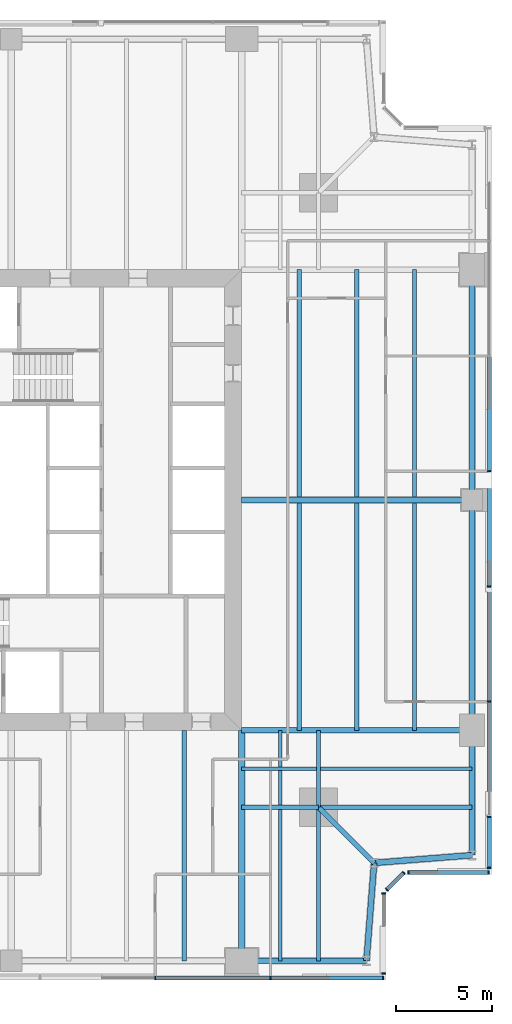
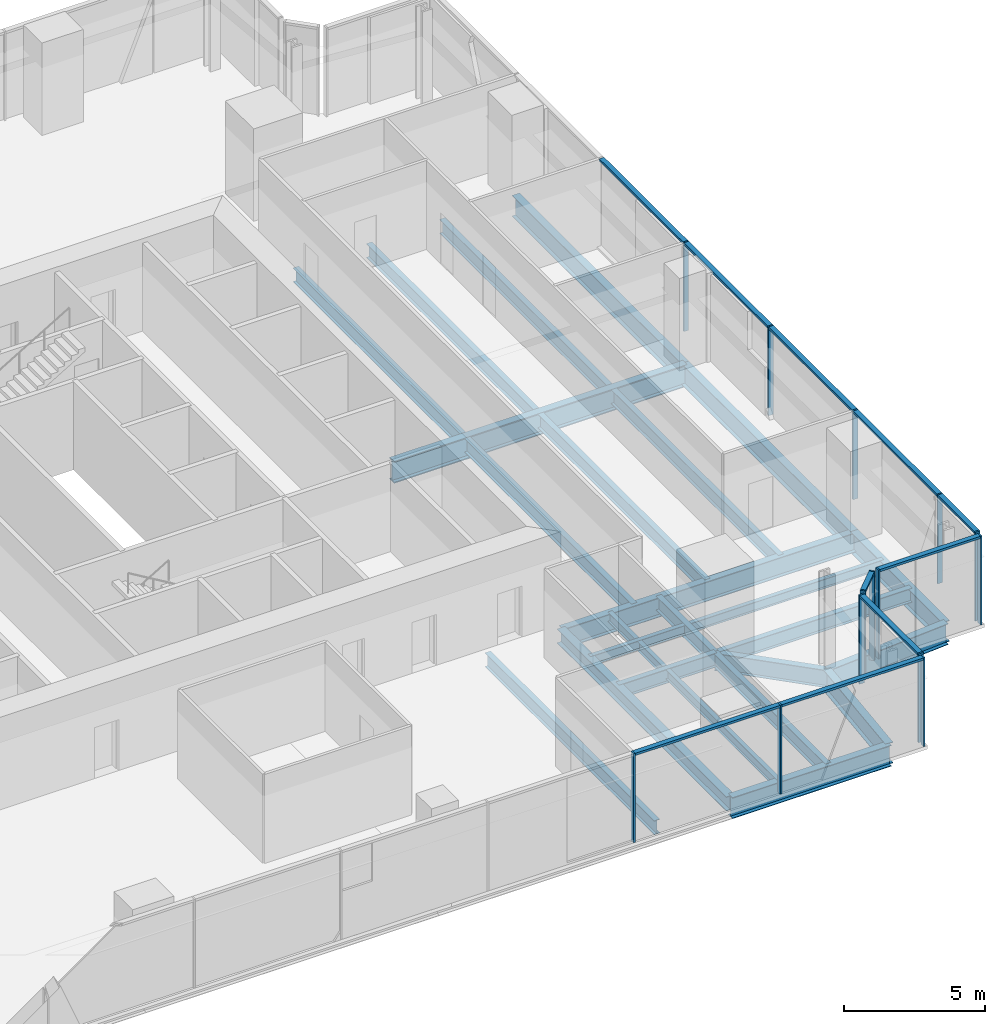
# One storey, part 5 of 16: 26 beams, 24 members, 5 elements without a shape of their own.
"""IFC4 building model written with IfcOpenShell, lengths in metres."""

from ifc_helpers import new_model, si_unit, direction, frame, origin, origin_2d, place, context, subcontext, project, spatial, rectangle, i_section, extrude, material, material_profile, profile_set, type_object, element, aggregate, save


model = new_model("IFC4")

# Units and contexts
model_context = context("Model", 3, precision=1e-05, world=origin(), true_north=direction((0.0, 1.0)))
body_context = subcontext(model_context, "Body", "Model", "MODEL_VIEW")
ifc_project = project(units=[si_unit("LENGTHUNIT", "METRE"), si_unit("AREAUNIT", "SQUARE_METRE"), si_unit("VOLUMEUNIT", "CUBIC_METRE"), si_unit("PLANEANGLEUNIT", "RADIAN"), si_unit("MASSUNIT", "GRAM", prefix="KILO")], contexts=[model_context])

# Site, building, storey
site_placement = place(None, origin())
site = spatial("IfcSite", under=ifc_project, at=site_placement, CompositionType="ELEMENT")
building_placement = place(site_placement, origin())
building = spatial("IfcBuilding", under=site, at=building_placement, Name="Fenwick Lantern Interchange", CompositionType="ELEMENT")
storey_placement = place(building_placement, frame((0.0, 0.0, 213.800048828125)))
storey = spatial("IfcBuildingStorey", under=building, at=storey_placement, Name="L50", CompositionType="ELEMENT", Elevation=213.800048828125)

# Beams
ifc_material_1 = material(Name="Steel ASTM A992 Grade 50", Category="steel")
ifc_material_profile_1 = material_profile(ifc_material_1, i_section(OverallWidth=0.3046875, OverallDepth=0.911865234375, WebThickness=0.015869140625, FlangeThickness=0.02392578125, at=origin_2d()), Name="W36X150")
ifc_profile_set_1 = profile_set([ifc_material_profile_1], Name="Steel ASTM A992 Grade 50")
beam_type_1 = type_object("IfcBeamType", Name="EDGE BEAM W36X150", PredefinedType="SPANDREL", material=ifc_profile_set_1)
beam_1_placement = place(storey_placement, frame((37.0, 1.0, -0.60595703125), z_axis=(1.0, 0.0, 0.0), x_axis=(0.0, 1.0, 0.0)))
element("IfcBeam", 1, at=beam_1_placement, inside=storey, type_object=beam_type_1, Name="L50/FR/S/EB4", PredefinedType="SPANDREL", context=body_context, shape_type="SweptSolid", body=[
    extrude(i_section(OverallWidth=0.3046875, OverallDepth=0.911865234375, WebThickness=0.015869140625, FlangeThickness=0.02392578125, at=origin_2d()), origin(), (0.0, 0.0, 1.0), 6.5),
])
for number, where, z_axis, x_axis, name in (
    (2, (43.5, 1.0, -0.60595703125), (0.078170784639, 0.99693998236, 0.0), (-0.99693998236, 0.078170784639, 0.0), "L50/FR/S/EBR1"),
    (3, (43.89990234375, 6.10009765625, -0.60595703125), (0.99693998236, 0.078170784639, 0.0), (-0.078170784639, 0.99693998236, 0.0), "L50/FR/S/EBR2"),
):
    element("IfcBeam", number, at=place(storey_placement, frame(where, z_axis=z_axis, x_axis=x_axis)), inside=storey, type_object=beam_type_1, Name=name, PredefinedType="SPANDREL", context=body_context, shape_type="SweptSolid", body=[
        extrude(i_section(OverallWidth=0.3046875, OverallDepth=0.911865234375, WebThickness=0.015869140625, FlangeThickness=0.02392578125, at=origin_2d()), origin(), (0.0, 0.0, 1.0), 5.11572265625),
    ])
beam_2_placement = place(storey_placement, frame((49.0, 6.5, -0.60595703125), z_axis=(0.0, 1.0, 0.0), x_axis=(-1.0, 0.0, 0.0)))
element("IfcBeam", 4, at=beam_2_placement, inside=storey, type_object=beam_type_1, Name="L50/FR/E/EB1", PredefinedType="SPANDREL", context=body_context, shape_type="SweptSolid", body=[
    extrude(i_section(OverallWidth=0.3046875, OverallDepth=0.911865234375, WebThickness=0.015869140625, FlangeThickness=0.02392578125, at=origin_2d()), origin(), (0.0, 0.0, 1.0), 6.5),
])
for number, where, z_axis, x_axis, name in (
    (5, (49.0, 13.0, -0.60595703125), (0.0, 1.0, 0.0), (-1.0, 0.0, 0.0), "L50/FR/E/EB2"),
    (6, (49.0, 25.0, -0.60595703125), (0.0, 1.0, 0.0), (-1.0, 0.0, 0.0), "L50/FR/E/EB3"),
):
    element("IfcBeam", number, at=place(storey_placement, frame(where, z_axis=z_axis, x_axis=x_axis)), inside=storey, type_object=beam_type_1, Name=name, PredefinedType="SPANDREL", context=body_context, shape_type="SweptSolid", body=[
        extrude(i_section(OverallWidth=0.3046875, OverallDepth=0.911865234375, WebThickness=0.015869140625, FlangeThickness=0.02392578125, at=origin_2d()), origin(), (0.0, 0.0, 1.0), 12.0),
    ])
ifc_material_profile_2 = material_profile(ifc_material_1, i_section(OverallWidth=0.22900390625, OverallDepth=0.612060546875, WebThickness=0.011962890625, FlangeThickness=0.01953125, at=origin_2d()), Name="W24X84")
ifc_profile_set_2 = profile_set([ifc_material_profile_2], Name="Steel ASTM A992 Grade 50")
beam_type_2 = type_object("IfcBeamType", Name="FLOOR BEAM W24X84", PredefinedType="BEAM", material=ifc_profile_set_2)
beam_3_placement = place(storey_placement, frame((34.0, 1.0, -0.4560546875), z_axis=(0.0, 1.0, 0.0), x_axis=(-1.0, 0.0, 0.0)))
element("IfcBeam", 7, at=beam_3_placement, inside=storey, type_object=beam_type_2, Name="L50/FR/S/R08", PredefinedType="BEAM", context=body_context, shape_type="SweptSolid", body=[
    extrude(i_section(OverallWidth=0.22900390625, OverallDepth=0.612060546875, WebThickness=0.011962890625, FlangeThickness=0.01953125, at=origin_2d()), origin(), (0.0, 0.0, 1.0), 12.0),
])
for number, where, z_axis, x_axis, name in (
    (8, (46.0, 13.0, -0.4560546875), (0.0, 1.0, 0.0), (-1.0, 0.0, 0.0), "L50/FR/E/B01"),
    (9, (43.0, 13.0, -0.4560546875), (0.0, 1.0, 0.0), (-1.0, 0.0, 0.0), "L50/FR/E/B02"),
    (10, (40.0, 13.0, -0.4560546875), (0.0, 1.0, 0.0), (-1.0, 0.0, 0.0), "L50/FR/E/B03"),
    (11, (46.0, 25.155029296875, -0.4560546875), (0.0, 1.0, 0.0), (-1.0, 0.0, 0.0), "L50/FR/E/B04"),
    (12, (43.0, 25.155029296875, -0.4560546875), (0.0, 1.0, 0.0), (-1.0, 0.0, 0.0), "L50/FR/E/B05"),
    (13, (40.0, 25.155029296875, -0.4560546875), (0.0, 1.0, 0.0), (-1.0, 0.0, 0.0), "L50/FR/E/B06"),
):
    element("IfcBeam", number, at=place(storey_placement, frame(where, z_axis=z_axis, x_axis=x_axis)), inside=storey, type_object=beam_type_2, Name=name, PredefinedType="BEAM", context=body_context, shape_type="SweptSolid", body=[
        extrude(i_section(OverallWidth=0.22900390625, OverallDepth=0.612060546875, WebThickness=0.011962890625, FlangeThickness=0.01953125, at=origin_2d()), origin(), (0.0, 0.0, 1.0), 11.844970703125),
    ])
ifc_material_profile_3 = material_profile(ifc_material_1, i_section(OverallWidth=0.177734375, OverallDepth=0.406494140625, WebThickness=0.0078125, FlangeThickness=0.012939453125, at=origin_2d()), Name="W16X40")
ifc_profile_set_3 = profile_set([ifc_material_profile_3], Name="Steel ASTM A992 Grade 50")
beam_type_3 = type_object("IfcBeamType", Name="INFILL BEAM W16X40", PredefinedType="JOIST", material=ifc_profile_set_3)
beam_4_placement = place(storey_placement, frame((49.0, 11.0, -0.353271484375), z_axis=(-1.0, 0.0, 0.0), x_axis=(0.0, -1.0, 0.0)))
element("IfcBeam", 14, at=beam_4_placement, inside=storey, type_object=beam_type_3, Name="L50/FR/E/J1", PredefinedType="JOIST", context=body_context, shape_type="SweptSolid", body=[
    extrude(i_section(OverallWidth=0.177734375, OverallDepth=0.406494140625, WebThickness=0.0078125, FlangeThickness=0.012939453125, at=origin_2d()), origin(), (0.0, 0.0, 1.0), 7.885498046875),
])
beam_5_placement = place(storey_placement, frame((40.885498046875, 11.0, -0.353271484375), z_axis=(-1.0, 0.0, 0.0), x_axis=(0.0, -1.0, 0.0)))
element("IfcBeam", 15, at=beam_5_placement, inside=storey, type_object=beam_type_3, Name="L50/FR/E/J2", PredefinedType="JOIST", context=body_context, shape_type="SweptSolid", body=[
    extrude(i_section(OverallWidth=0.177734375, OverallDepth=0.406494140625, WebThickness=0.0078125, FlangeThickness=0.012939453125, at=origin_2d()), origin(), (0.0, 0.0, 1.0), 3.885498046875),
])
beam_6_placement = place(storey_placement, frame((39.0, 1.0, -0.353271484375), z_axis=(0.0, 1.0, 0.0), x_axis=(-1.0, 0.0, 0.0)))
element("IfcBeam", 16, at=beam_6_placement, inside=storey, type_object=beam_type_3, Name="L50/FR/E/J3", PredefinedType="JOIST", context=body_context, shape_type="SweptSolid", body=[
    extrude(i_section(OverallWidth=0.177734375, OverallDepth=0.406494140625, WebThickness=0.0078125, FlangeThickness=0.012939453125, at=origin_2d()), origin(), (0.0, 0.0, 1.0), 7.885498046875),
])
beam_7_placement = place(storey_placement, frame((39.0, 9.114501953125, -0.353271484375), z_axis=(0.0, 1.0, 0.0), x_axis=(-1.0, 0.0, 0.0)))
element("IfcBeam", 17, at=beam_7_placement, inside=storey, type_object=beam_type_3, Name="L50/FR/E/J4", PredefinedType="JOIST", context=body_context, shape_type="SweptSolid", body=[
    extrude(i_section(OverallWidth=0.177734375, OverallDepth=0.406494140625, WebThickness=0.0078125, FlangeThickness=0.012939453125, at=origin_2d()), origin(), (0.0, 0.0, 1.0), 1.796630859375),
])
beam_8_placement = place(storey_placement, frame((39.0, 11.0888671875, -0.353271484375), z_axis=(0.0, 1.0, 0.0), x_axis=(-1.0, 0.0, 0.0)))
element("IfcBeam", 18, at=beam_8_placement, inside=storey, type_object=beam_type_3, Name="L50/FR/E/J5", PredefinedType="JOIST", context=body_context, shape_type="SweptSolid", body=[
    extrude(i_section(OverallWidth=0.177734375, OverallDepth=0.406494140625, WebThickness=0.0078125, FlangeThickness=0.012939453125, at=origin_2d()), origin(), (0.0, 0.0, 1.0), 1.9111328125),
])
ifc_material_profile_4 = material_profile(ifc_material_1, i_section(OverallWidth=0.22900390625, OverallDepth=0.612060546875, WebThickness=0.011962890625, FlangeThickness=0.01953125, at=origin_2d()), Name="W24X84")
ifc_profile_set_4 = profile_set([ifc_material_profile_4], Name="Steel ASTM A992 Grade 50")
beam_type_4 = type_object("IfcBeamType", Name="MEGA COLUMN BEAM W24X84", PredefinedType="BEAM", material=ifc_profile_set_4)
for number, where, z_axis, x_axis, name in (
    (19, (41.0, 9.0, -0.4560546875), (1.0, 0.0, 0.0), (0.0, 1.0, 0.0), "L50/FR/E/MB1"),
    (20, (41.0, 9.0, -0.4560546875), (0.0, -1.0, 0.0), (1.0, 0.0, 0.0), "L50/FR/E/MB2"),
):
    element("IfcBeam", number, at=place(storey_placement, frame(where, z_axis=z_axis, x_axis=x_axis)), inside=storey, type_object=beam_type_4, Name=name, PredefinedType="BEAM", context=body_context, shape_type="SweptSolid", body=[
        extrude(i_section(OverallWidth=0.22900390625, OverallDepth=0.612060546875, WebThickness=0.011962890625, FlangeThickness=0.01953125, at=origin_2d()), origin(), (0.0, 0.0, 1.0), 8.0),
    ])
for number, where, z_axis, x_axis, name in (
    (21, (41.0, 9.0, -0.4560546875), (0.0, 1.0, 0.0), (-1.0, 0.0, 0.0), "L50/FR/E/MB3"),
    (22, (41.0, 9.0, -0.4560546875), (-1.0, 0.0, 0.0), (0.0, -1.0, 0.0), "L50/FR/E/MB4"),
):
    element("IfcBeam", number, at=place(storey_placement, frame(where, z_axis=z_axis, x_axis=x_axis)), inside=storey, type_object=beam_type_4, Name=name, PredefinedType="BEAM", context=body_context, shape_type="SweptSolid", body=[
        extrude(i_section(OverallWidth=0.22900390625, OverallDepth=0.612060546875, WebThickness=0.011962890625, FlangeThickness=0.01953125, at=origin_2d()), origin(), (0.0, 0.0, 1.0), 4.0),
    ])
ifc_material_profile_5 = material_profile(ifc_material_1, i_section(OverallWidth=0.32763671875, OverallDepth=0.622314453125, WebThickness=0.015380859375, FlangeThickness=0.0244140625, at=origin_2d()), Name="W24X131")
ifc_profile_set_5 = profile_set([ifc_material_profile_5], Name="Steel ASTM A992 Grade 50")
beam_type_5 = type_object("IfcBeamType", Name="MOMENT-CONNECTED GIRDER W24X131", PredefinedType="BEAM", material=ifc_profile_set_5)
beam_9_placement = place(storey_placement, frame((37.0, 1.0, -0.461181640625), z_axis=(0.0, 1.0, 0.0), x_axis=(-1.0, 0.0, 0.0)))
element("IfcBeam", 23, at=beam_9_placement, inside=storey, type_object=beam_type_5, Name="L50/FR/S/R09", PredefinedType="BEAM", context=body_context, shape_type="SweptSolid", body=[
    extrude(i_section(OverallWidth=0.32763671875, OverallDepth=0.622314453125, WebThickness=0.015380859375, FlangeThickness=0.0244140625, at=origin_2d()), origin(), (0.0, 0.0, 1.0), 12.0),
])
ifc_material_profile_6 = material_profile(ifc_material_1, i_section(OverallWidth=0.2919921875, OverallDepth=0.845703125, WebThickness=0.015380859375, FlangeThickness=0.0244140625, at=origin_2d()), Name="W33X141")
ifc_profile_set_6 = profile_set([ifc_material_profile_6], Name="Steel ASTM A992 Grade 50")
beam_type_6 = type_object("IfcBeamType", Name="MOMENT-CONNECTED GIRDER W33X141", PredefinedType="BEAM", material=ifc_profile_set_6)
beam_10_placement = place(storey_placement, frame((49.0, 13.0, -0.572998046875), z_axis=(-1.0, 0.0, 0.0), x_axis=(0.0, -1.0, 0.0)))
element("IfcBeam", 24, at=beam_10_placement, inside=storey, type_object=beam_type_6, Name="L50/FR/E/R01", PredefinedType="BEAM", context=body_context, shape_type="SweptSolid", body=[
    extrude(i_section(OverallWidth=0.2919921875, OverallDepth=0.845703125, WebThickness=0.015380859375, FlangeThickness=0.0244140625, at=origin_2d()), origin(), (0.0, 0.0, 1.0), 12.0),
])
ifc_material_profile_7 = material_profile(ifc_material_1, i_section(OverallWidth=0.309814453125, OverallDepth=0.949951171875, WebThickness=0.0244140625, FlangeThickness=0.0439453125, at=origin_2d()), Name="W36X256")
ifc_profile_set_7 = profile_set([ifc_material_profile_7], Name="Steel ASTM A992 Grade 50")
beam_type_7 = type_object("IfcBeamType", Name="MOMENT-CONNECTED GIRDER W36X256", PredefinedType="BEAM", material=ifc_profile_set_7)
beam_11_placement = place(storey_placement, frame((49.0, 25.0, -0.625), z_axis=(-1.0, 0.0, 0.0), x_axis=(0.0, -1.0, 0.0)))
element("IfcBeam", 25, at=beam_11_placement, inside=storey, type_object=beam_type_7, Name="L50/FR/E/R02", PredefinedType="BEAM", context=body_context, shape_type="SweptSolid", body=[
    extrude(i_section(OverallWidth=0.309814453125, OverallDepth=0.949951171875, WebThickness=0.0244140625, FlangeThickness=0.0439453125, at=origin_2d()), origin(), (0.0, 0.0, 1.0), 12.0),
])
ifc_material_profile_8 = material_profile(ifc_material_1, i_section(OverallWidth=0.2666015625, OverallDepth=0.7568359375, WebThickness=0.013916015625, FlangeThickness=0.019287109375, at=origin_2d()), Name="W30X108")
ifc_profile_set_8 = profile_set([ifc_material_profile_8], Name="Steel ASTM A992 Grade 50")
beam_type_8 = type_object("IfcBeamType", Name="NOTCH BEAM W30X108", PredefinedType="BEAM", material=ifc_profile_set_8)
beam_12_placement = place(storey_placement, frame((41.0, 9.0, -0.528564453125), z_axis=(0.707106781187, -0.707106781187, 0.0), x_axis=(0.707106781187, 0.707106781187, 0.0)))
element("IfcBeam", 26, at=beam_12_placement, inside=storey, type_object=beam_type_8, Name="L50/FR/E/TG", PredefinedType="BEAM", context=body_context, shape_type="SweptSolid", body=[
    extrude(i_section(OverallWidth=0.2666015625, OverallDepth=0.7568359375, WebThickness=0.013916015625, FlangeThickness=0.019287109375, at=origin_2d()), origin(), (0.0, 0.0, 1.0), 4.10107421875),
])

# Curtain wall, members
ifc_material_2 = material(Name="Aluminium curtain wall frame", Category="aluminium")
curtain_wall_type = type_object("IfcCurtainWallType", Name="OFFICE CURTAIN WALL", PredefinedType="USERDEFINED", material=ifc_material_2)
curtain_wall_1_placement = place(storey_placement, origin())
curtain_wall_1 = element("IfcCurtainWall", 27, at=curtain_wall_1_placement, inside=storey, type_object=curtain_wall_type, Name="Office curtain wall 01", ObjectType="OFFICE CURTAIN WALL", PredefinedType="USERDEFINED")
ifc_material_3 = material(Name="Aluminium extrusion", Category="aluminium")
ifc_material_profile_9 = material_profile(ifc_material_3, rectangle(XDim=0.199951171875, YDim=0.06494140625, at=origin_2d()), Name="OFFICE CURTAIN WALL MULLION 65 X 200")
ifc_profile_set_9 = profile_set([ifc_material_profile_9], Name="Aluminium extrusion")
member_type_1 = type_object("IfcMemberType", Name="OFFICE CURTAIN WALL MULLION 65 X 200", PredefinedType="MULLION", material=ifc_profile_set_9)
member_1_placement = place(storey_placement, frame((32.5, 0.10009765625, 0.0), z_axis=(0.0, 0.0, 1.0), x_axis=(0.0, 1.0, 0.0)))
member_1 = element("IfcMember", 28, at=member_1_placement, type_object=member_type_1, Name="L50/CW/01/M05", PredefinedType="MULLION", context=body_context, shape_type="SweptSolid", body=[
    extrude(rectangle(XDim=0.199951171875, YDim=0.06494140625, at=origin_2d()), origin(), (0.0, 0.0, 1.0), 3.849853515625),
])
member_2_placement = place(storey_placement, frame((38.5, 0.10009765625, 0.0), z_axis=(0.0, 0.0, 1.0), x_axis=(0.0, 1.0, 0.0)))
member_2 = element("IfcMember", 29, at=member_2_placement, type_object=member_type_1, Name="L50/CW/01/M06", PredefinedType="MULLION", context=body_context, shape_type="SweptSolid", body=[
    extrude(rectangle(XDim=0.199951171875, YDim=0.06494140625, at=origin_2d()), origin(), (0.0, 0.0, 1.0), 3.849853515625),
])
member_3_placement = place(storey_placement, frame((44.367431640625, 0.10009765625, 0.0), z_axis=(0.0, 0.0, 1.0), x_axis=(0.0, 1.0, 0.0)))
member_3 = element("IfcMember", 30, at=member_3_placement, type_object=member_type_1, Name="L50/CW/01/M07", PredefinedType="MULLION", context=body_context, shape_type="SweptSolid", body=[
    extrude(rectangle(XDim=0.199951171875, YDim=0.06494140625, at=origin_2d()), origin(), (0.0, 0.0, 1.0), 3.849853515625),
])

curtain_wall_2_placement = place(storey_placement, origin())
curtain_wall_2 = element("IfcCurtainWall", 31, at=curtain_wall_2_placement, inside=storey, type_object=curtain_wall_type, Name="Office curtain wall 02", ObjectType="OFFICE CURTAIN WALL", PredefinedType="USERDEFINED")
member_4_placement = place(storey_placement, frame((44.39990234375, 0.33251953125, 0.0), z_axis=(0.0, 0.0, 1.0), x_axis=(-1.0, 0.0, 0.0)))
member_4 = element("IfcMember", 32, at=member_4_placement, type_object=member_type_1, Name="L50/CW/02/M00", PredefinedType="MULLION", context=body_context, shape_type="SweptSolid", body=[
    extrude(rectangle(XDim=0.199951171875, YDim=0.06494140625, at=origin_2d()), origin(), (0.0, 0.0, 1.0), 3.849853515625),
])
member_5_placement = place(storey_placement, frame((44.39990234375, 4.509033203125, 0.0), z_axis=(0.0, 0.0, 1.0), x_axis=(-1.0, 0.0, 0.0)))
member_5 = element("IfcMember", 33, at=member_5_placement, type_object=member_type_1, Name="L50/CW/02/M01", PredefinedType="MULLION", context=body_context, shape_type="SweptSolid", body=[
    extrude(rectangle(XDim=0.199951171875, YDim=0.06494140625, at=origin_2d()), origin(), (0.0, 0.0, 1.0), 3.849853515625),
])

curtain_wall_3_placement = place(storey_placement, origin())
curtain_wall_3 = element("IfcCurtainWall", 34, at=curtain_wall_3_placement, inside=storey, type_object=curtain_wall_type, Name="Office curtain wall 03", ObjectType="OFFICE CURTAIN WALL", PredefinedType="USERDEFINED")
member_6_placement = place(storey_placement, frame((44.564453125, 4.705810546875, 0.0), z_axis=(0.0, 0.0, 1.0), x_axis=(-0.707106781187, 0.707106781187, 0.0)))
member_6 = element("IfcMember", 35, at=member_6_placement, type_object=member_type_1, Name="L50/CW/03/M00", PredefinedType="MULLION", context=body_context, shape_type="SweptSolid", body=[
    extrude(rectangle(XDim=0.199951171875, YDim=0.06494140625, at=origin_2d()), origin(), (0.0, 0.0, 1.0), 3.849853515625),
])
member_7_placement = place(storey_placement, frame((45.435546875, 5.576904296875, 0.0), z_axis=(0.0, 0.0, 1.0), x_axis=(-0.707106781187, 0.707106781187, 0.0)))
member_7 = element("IfcMember", 36, at=member_7_placement, type_object=member_type_1, Name="L50/CW/03/M01", PredefinedType="MULLION", context=body_context, shape_type="SweptSolid", body=[
    extrude(rectangle(XDim=0.199951171875, YDim=0.06494140625, at=origin_2d()), origin(), (0.0, 0.0, 1.0), 3.849853515625),
])

curtain_wall_4_placement = place(storey_placement, origin())
curtain_wall_4 = element("IfcCurtainWall", 37, at=curtain_wall_4_placement, inside=storey, type_object=curtain_wall_type, Name="Office curtain wall 04", ObjectType="OFFICE CURTAIN WALL", PredefinedType="USERDEFINED")
member_8_placement = place(storey_placement, frame((45.691162109375, 5.60009765625, 0.0), z_axis=(0.0, 0.0, 1.0), x_axis=(0.0, 1.0, 0.0)))
member_8 = element("IfcMember", 38, at=member_8_placement, type_object=member_type_1, Name="L50/CW/04/M00", PredefinedType="MULLION", context=body_context, shape_type="SweptSolid", body=[
    extrude(rectangle(XDim=0.199951171875, YDim=0.06494140625, at=origin_2d()), origin(), (0.0, 0.0, 1.0), 3.849853515625),
])
member_9_placement = place(storey_placement, frame((49.867431640625, 5.60009765625, 0.0), z_axis=(0.0, 0.0, 1.0), x_axis=(0.0, 1.0, 0.0)))
member_9 = element("IfcMember", 39, at=member_9_placement, type_object=member_type_1, Name="L50/CW/04/M01", PredefinedType="MULLION", context=body_context, shape_type="SweptSolid", body=[
    extrude(rectangle(XDim=0.199951171875, YDim=0.06494140625, at=origin_2d()), origin(), (0.0, 0.0, 1.0), 3.849853515625),
])

curtain_wall_5_placement = place(storey_placement, origin())
curtain_wall_5 = element("IfcCurtainWall", 40, at=curtain_wall_5_placement, inside=storey, type_object=curtain_wall_type, Name="Office curtain wall 05", ObjectType="OFFICE CURTAIN WALL", PredefinedType="USERDEFINED")
member_10_placement = place(storey_placement, frame((49.89990234375, 5.83251953125, 0.0), z_axis=(0.0, 0.0, 1.0), x_axis=(-1.0, 0.0, 0.0)))
member_10 = element("IfcMember", 41, at=member_10_placement, type_object=member_type_1, Name="L50/CW/05/M00", PredefinedType="MULLION", context=body_context, shape_type="SweptSolid", body=[
    extrude(rectangle(XDim=0.199951171875, YDim=0.06494140625, at=origin_2d()), origin(), (0.0, 0.0, 1.0), 3.849853515625),
])
member_11_placement = place(storey_placement, frame((49.89990234375, 8.5, 0.0), z_axis=(0.0, 0.0, 1.0), x_axis=(-1.0, 0.0, 0.0)))
member_11 = element("IfcMember", 42, at=member_11_placement, type_object=member_type_1, Name="L50/CW/05/M01", PredefinedType="MULLION", context=body_context, shape_type="SweptSolid", body=[
    extrude(rectangle(XDim=0.199951171875, YDim=0.06494140625, at=origin_2d()), origin(), (0.0, 0.0, 1.0), 3.849853515625),
])
member_12_placement = place(storey_placement, frame((49.89990234375, 14.5, 0.0), z_axis=(0.0, 0.0, 1.0), x_axis=(-1.0, 0.0, 0.0)))
member_12 = element("IfcMember", 43, at=member_12_placement, type_object=member_type_1, Name="L50/CW/05/M02", PredefinedType="MULLION", context=body_context, shape_type="SweptSolid", body=[
    extrude(rectangle(XDim=0.199951171875, YDim=0.06494140625, at=origin_2d()), origin(), (0.0, 0.0, 1.0), 3.849853515625),
])
member_13_placement = place(storey_placement, frame((49.89990234375, 20.5, 0.0), z_axis=(0.0, 0.0, 1.0), x_axis=(-1.0, 0.0, 0.0)))
member_13 = element("IfcMember", 44, at=member_13_placement, type_object=member_type_1, Name="L50/CW/05/M03", PredefinedType="MULLION", context=body_context, shape_type="SweptSolid", body=[
    extrude(rectangle(XDim=0.199951171875, YDim=0.06494140625, at=origin_2d()), origin(), (0.0, 0.0, 1.0), 3.849853515625),
])
member_14_placement = place(storey_placement, frame((49.89990234375, 26.5, 0.0), z_axis=(0.0, 0.0, 1.0), x_axis=(-1.0, 0.0, 0.0)))
member_14 = element("IfcMember", 45, at=member_14_placement, type_object=member_type_1, Name="L50/CW/05/M04", PredefinedType="MULLION", context=body_context, shape_type="SweptSolid", body=[
    extrude(rectangle(XDim=0.199951171875, YDim=0.06494140625, at=origin_2d()), origin(), (0.0, 0.0, 1.0), 3.849853515625),
])

# Member
ifc_material_profile_10 = material_profile(ifc_material_3, rectangle(XDim=0.199951171875, YDim=0.10009765625, at=origin_2d()), Name="OFFICE CURTAIN WALL TRANSOM 100 X 200")
ifc_profile_set_10 = profile_set([ifc_material_profile_10], Name="Aluminium extrusion")
member_type_2 = type_object("IfcMemberType", Name="OFFICE CURTAIN WALL TRANSOM 100 X 200", PredefinedType="MULLION", material=ifc_profile_set_10)
member_15_placement = place(storey_placement, frame((32.532470703125, 0.10009765625, 3.800048828125), z_axis=(1.0, 0.0, 0.0), x_axis=(0.0, 1.0, 0.0)))
member_15 = element("IfcMember", 46, at=member_15_placement, type_object=member_type_2, Name="L50/CW/01/T05", PredefinedType="MULLION", context=body_context, shape_type="SweptSolid", body=[
    extrude(rectangle(XDim=0.199951171875, YDim=0.10009765625, at=origin_2d()), origin(), (0.0, 0.0, 1.0), 5.93505859375),
])

member_16_placement = place(storey_placement, frame((38.532470703125, 0.10009765625, 3.800048828125), z_axis=(1.0, 0.0, 0.0), x_axis=(0.0, 1.0, 0.0)))
member_16 = element("IfcMember", 47, at=member_16_placement, type_object=member_type_2, Name="L50/CW/01/T06", PredefinedType="MULLION", context=body_context, shape_type="SweptSolid", body=[
    extrude(rectangle(XDim=0.199951171875, YDim=0.10009765625, at=origin_2d()), origin(), (0.0, 0.0, 1.0), 5.802490234375),
])

aggregate(curtain_wall_1, [member_1, member_2, member_3, member_15, member_16])

member_17_placement = place(storey_placement, frame((44.39990234375, 0.364990234375, 3.800048828125), z_axis=(0.0, 1.0, 0.0), x_axis=(-1.0, 0.0, 0.0)))
member_17 = element("IfcMember", 48, at=member_17_placement, type_object=member_type_2, Name="L50/CW/02/T00", PredefinedType="MULLION", context=body_context, shape_type="SweptSolid", body=[
    extrude(rectangle(XDim=0.199951171875, YDim=0.10009765625, at=origin_2d()), origin(), (0.0, 0.0, 1.0), 4.111328125),
])

aggregate(curtain_wall_2, [member_4, member_5, member_17])

member_18_placement = place(storey_placement, frame((44.58740234375, 4.728759765625, 3.800048828125), z_axis=(0.707106781187, 0.707106781187, 0.0), x_axis=(-0.707106781187, 0.707106781187, 0.0)))
member_18 = element("IfcMember", 49, at=member_18_placement, type_object=member_type_2, Name="L50/CW/03/T00", PredefinedType="MULLION", context=body_context, shape_type="SweptSolid", body=[
    extrude(rectangle(XDim=0.199951171875, YDim=0.10009765625, at=origin_2d()), origin(), (0.0, 0.0, 1.0), 1.1669921875),
])

aggregate(curtain_wall_3, [member_6, member_7, member_18])

member_19_placement = place(storey_placement, frame((45.7236328125, 5.60009765625, 3.800048828125), z_axis=(1.0, 0.0, 0.0), x_axis=(0.0, 1.0, 0.0)))
member_19 = element("IfcMember", 50, at=member_19_placement, type_object=member_type_2, Name="L50/CW/04/T00", PredefinedType="MULLION", context=body_context, shape_type="SweptSolid", body=[
    extrude(rectangle(XDim=0.199951171875, YDim=0.10009765625, at=origin_2d()), origin(), (0.0, 0.0, 1.0), 4.111328125),
])

aggregate(curtain_wall_4, [member_8, member_9, member_19])

member_20_placement = place(storey_placement, frame((49.89990234375, 5.864990234375, 3.800048828125), z_axis=(0.0, 1.0, 0.0), x_axis=(-1.0, 0.0, 0.0)))
member_20 = element("IfcMember", 51, at=member_20_placement, type_object=member_type_2, Name="L50/CW/05/T00", PredefinedType="MULLION", context=body_context, shape_type="SweptSolid", body=[
    extrude(rectangle(XDim=0.199951171875, YDim=0.10009765625, at=origin_2d()), origin(), (0.0, 0.0, 1.0), 2.6025390625),
])

member_21_placement = place(storey_placement, frame((49.89990234375, 8.532470703125, 3.800048828125), z_axis=(0.0, 1.0, 0.0), x_axis=(-1.0, 0.0, 0.0)))
member_21 = element("IfcMember", 52, at=member_21_placement, type_object=member_type_2, Name="L50/CW/05/T01", PredefinedType="MULLION", context=body_context, shape_type="SweptSolid", body=[
    extrude(rectangle(XDim=0.199951171875, YDim=0.10009765625, at=origin_2d()), origin(), (0.0, 0.0, 1.0), 5.93505859375),
])

member_22_placement = place(storey_placement, frame((49.89990234375, 14.532470703125, 3.800048828125), z_axis=(0.0, 1.0, 0.0), x_axis=(-1.0, 0.0, 0.0)))
member_22 = element("IfcMember", 53, at=member_22_placement, type_object=member_type_2, Name="L50/CW/05/T02", PredefinedType="MULLION", context=body_context, shape_type="SweptSolid", body=[
    extrude(rectangle(XDim=0.199951171875, YDim=0.10009765625, at=origin_2d()), origin(), (0.0, 0.0, 1.0), 5.93505859375),
])

member_23_placement = place(storey_placement, frame((49.89990234375, 20.532470703125, 3.800048828125), z_axis=(0.0, 1.0, 0.0), x_axis=(-1.0, 0.0, 0.0)))
member_23 = element("IfcMember", 54, at=member_23_placement, type_object=member_type_2, Name="L50/CW/05/T03", PredefinedType="MULLION", context=body_context, shape_type="SweptSolid", body=[
    extrude(rectangle(XDim=0.199951171875, YDim=0.10009765625, at=origin_2d()), origin(), (0.0, 0.0, 1.0), 5.93505859375),
])

member_24_placement = place(storey_placement, frame((49.89990234375, 26.532470703125, 3.800048828125), z_axis=(0.0, 1.0, 0.0), x_axis=(-1.0, 0.0, 0.0)))
member_24 = element("IfcMember", 55, at=member_24_placement, type_object=member_type_2, Name="L50/CW/05/T04", PredefinedType="MULLION", context=body_context, shape_type="SweptSolid", body=[
    extrude(rectangle(XDim=0.199951171875, YDim=0.10009765625, at=origin_2d()), origin(), (0.0, 0.0, 1.0), 5.93505859375),
])

aggregate(curtain_wall_5, [member_10, member_11, member_12, member_13, member_14, member_20, member_21, member_22, member_23, member_24])

save(model, "model.ifc")
